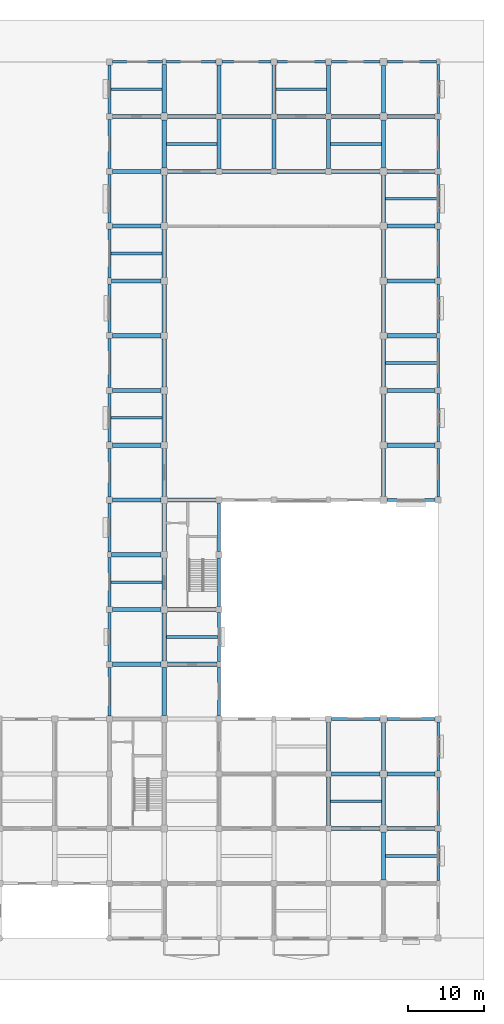
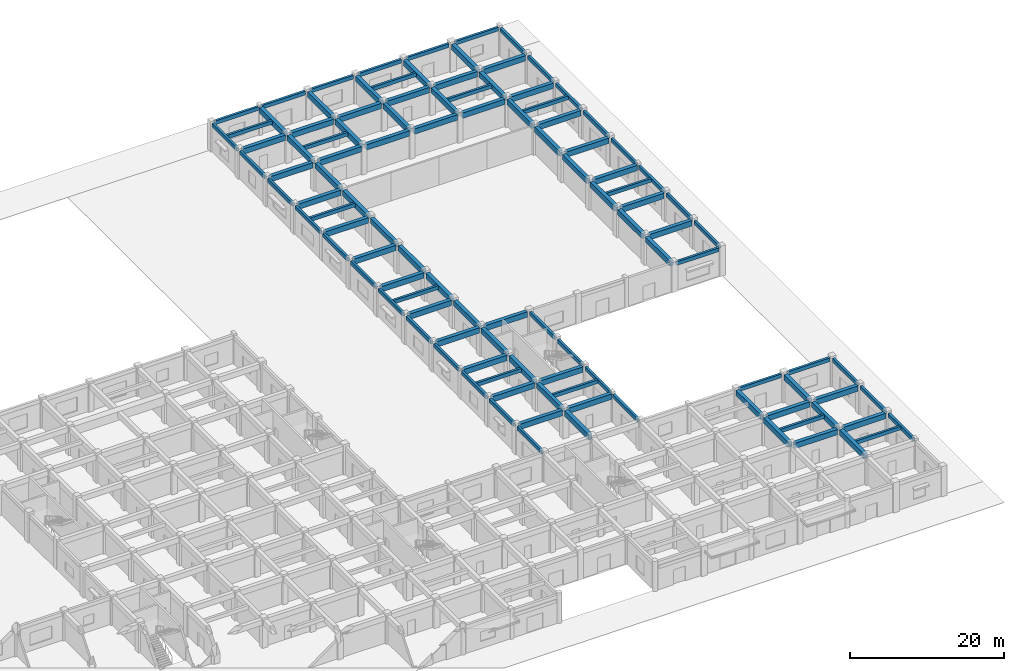
# One storey, part 6 of 37: 112 beams.
"""IFC4 building model written with IfcOpenShell, lengths in metres."""

from ifc_helpers import new_model, si_unit, direction, frame, origin, origin_2d, place, context, subcontext, project, spatial, rectangle, extrude, material, material_profile, profile_set, type_object, element, save


model = new_model("IFC4")

# Units and contexts
model_context = context("Model", 3, precision=1e-05, world=origin(), true_north=direction((0.0, 1.0)))
body_context = subcontext(model_context, "Body", "Model", "MODEL_VIEW")
ifc_project = project(units=[si_unit("LENGTHUNIT", "METRE"), si_unit("AREAUNIT", "SQUARE_METRE"), si_unit("VOLUMEUNIT", "CUBIC_METRE"), si_unit("PLANEANGLEUNIT", "RADIAN"), si_unit("MASSUNIT", "GRAM", prefix="KILO")], contexts=[model_context])

# Site, building, storey
site_placement = place(None, origin())
site = spatial("IfcSite", under=ifc_project, at=site_placement, CompositionType="ELEMENT")
building_placement = place(site_placement, origin())
building = spatial("IfcBuilding", under=site, at=building_placement, Name="Cendaluz Park School", CompositionType="ELEMENT")
storey_placement = place(building_placement, origin())
storey = spatial("IfcBuildingStorey", under=building, at=storey_placement, Name="L00", CompositionType="ELEMENT", Elevation=0.0)

# Beams
ifc_material = material(Name="Concrete C40/50", Category="concrete")
ifc_material_profile_1 = material_profile(ifc_material, rectangle(XDim=0.550048828125, YDim=0.85009765625, at=origin_2d()), Name="RC 550x850", Category="concrete")
ifc_profile_set_1 = profile_set([ifc_material_profile_1], Name="Concrete C40/50")
beam_type_1 = type_object("IfcBeamType", Name="BM-RC01", PredefinedType="BEAM", material=ifc_profile_set_1)
for number, where, z_axis, x_axis, name in (
    (1, (130.0, 36.0, 4.044921875), (1.0, 0.0, 0.0), (0.0, 1.0, 0.0), "BM-L00-BMRC01-0156"),
    (2, (130.0, 43.199951171875, 4.044921875), (1.0, 0.0, 0.0), (0.0, 1.0, 0.0), "BM-L00-BMRC01-0157"),
):
    element("IfcBeam", number, at=place(storey_placement, frame(where, z_axis=z_axis, x_axis=x_axis)), inside=storey, type_object=beam_type_1, Name=name, PredefinedType="BEAM", context=body_context, shape_type="SweptSolid", body=[
        extrude(rectangle(XDim=0.550048828125, YDim=0.85009765625, at=origin_2d()), origin(), (0.0, 0.0, 1.0), 6.35009765625),
    ])
beam_1_placement = place(storey_placement, frame((129.85009765625, 50.39990234375, 4.044921875), z_axis=(1.0, 0.0, 0.0), x_axis=(0.0, 1.0, 0.0)))
element("IfcBeam", 3, at=beam_1_placement, inside=storey, type_object=beam_type_1, Name="BM-L00-BMRC01-0158", PredefinedType="BEAM", context=body_context, shape_type="SweptSolid", body=[
    extrude(rectangle(XDim=0.550048828125, YDim=0.85009765625, at=origin_2d()), origin(), (0.0, 0.0, 1.0), 6.5),
])
for number, where, z_axis, x_axis, name in (
    (4, (130.0, 57.60009765625, 4.044921875), (1.0, 0.0, 0.0), (0.0, 1.0, 0.0), "BM-L00-BMRC01-0159"),
    (5, (130.0, 64.800048828125, 4.044921875), (1.0, 0.0, 0.0), (0.0, 1.0, 0.0), "BM-L00-BMRC01-0160"),
    (6, (130.0, 72.0, 4.044921875), (1.0, 0.0, 0.0), (0.0, 1.0, 0.0), "BM-L00-BMRC01-0161"),
    (7, (130.0, 79.199951171875, 4.044921875), (1.0, 0.0, 0.0), (0.0, 1.0, 0.0), "BM-L00-BMRC01-0162"),
):
    element("IfcBeam", number, at=place(storey_placement, frame(where, z_axis=z_axis, x_axis=x_axis)), inside=storey, type_object=beam_type_1, Name=name, PredefinedType="BEAM", context=body_context, shape_type="SweptSolid", body=[
        extrude(rectangle(XDim=0.550048828125, YDim=0.85009765625, at=origin_2d()), origin(), (0.0, 0.0, 1.0), 6.35009765625),
    ])
beam_2_placement = place(storey_placement, frame((129.85009765625, 86.39990234375, 4.044921875), z_axis=(1.0, 0.0, 0.0), x_axis=(0.0, 1.0, 0.0)))
element("IfcBeam", 8, at=beam_2_placement, inside=storey, type_object=beam_type_1, Name="BM-L00-BMRC01-0163", PredefinedType="BEAM", context=body_context, shape_type="SweptSolid", body=[
    extrude(rectangle(XDim=0.550048828125, YDim=0.85009765625, at=origin_2d()), origin(), (0.0, 0.0, 1.0), 6.5),
])
for number, where, z_axis, x_axis, name in (
    (9, (130.0, 93.60009765625, 4.044921875), (1.0, 0.0, 0.0), (0.0, 1.0, 0.0), "BM-L00-BMRC01-0164"),
    (10, (130.0, 100.800048828125, 4.044921875), (1.0, 0.0, 0.0), (0.0, 1.0, 0.0), "BM-L00-BMRC01-0165"),
    (11, (130.0, 108.0, 4.044921875), (1.0, 0.0, 0.0), (0.0, 1.0, 0.0), "BM-L00-BMRC01-0166"),
):
    element("IfcBeam", number, at=place(storey_placement, frame(where, z_axis=z_axis, x_axis=x_axis)), inside=storey, type_object=beam_type_1, Name=name, PredefinedType="BEAM", context=body_context, shape_type="SweptSolid", body=[
        extrude(rectangle(XDim=0.550048828125, YDim=0.85009765625, at=origin_2d()), origin(), (0.0, 0.0, 1.0), 6.35009765625),
    ])
beam_3_placement = place(storey_placement, frame((137.25, 36.0, 4.044921875), z_axis=(1.0, 0.0, 0.0), x_axis=(0.0, 1.0, 0.0)))
element("IfcBeam", 12, at=beam_3_placement, inside=storey, type_object=beam_type_1, Name="BM-L00-BMRC01-0173", PredefinedType="BEAM", context=body_context, shape_type="SweptSolid", body=[
    extrude(rectangle(XDim=0.550048828125, YDim=0.85009765625, at=origin_2d()), origin(), (0.0, 0.0, 1.0), 6.5),
])
for number, where, z_axis, x_axis, name in (
    (13, (137.25, 43.199951171875, 4.044921875), (1.0, 0.0, 0.0), (0.0, 1.0, 0.0), "BM-L00-BMRC01-0174"),
    (14, (137.25, 57.60009765625, 4.044921875), (1.0, 0.0, 0.0), (0.0, 1.0, 0.0), "BM-L00-BMRC01-0175"),
    (15, (137.25, 100.800048828125, 4.044921875), (1.0, 0.0, 0.0), (0.0, 1.0, 0.0), "BM-L00-BMRC01-0176"),
    (16, (137.25, 108.0, 4.044921875), (1.0, 0.0, 0.0), (0.0, 1.0, 0.0), "BM-L00-BMRC01-0177"),
):
    element("IfcBeam", number, at=place(storey_placement, frame(where, z_axis=z_axis, x_axis=x_axis)), inside=storey, type_object=beam_type_1, Name=name, PredefinedType="BEAM", context=body_context, shape_type="SweptSolid", body=[
        extrude(rectangle(XDim=0.550048828125, YDim=0.85009765625, at=origin_2d()), origin(), (0.0, 0.0, 1.0), 6.35009765625),
    ])
for number, where, z_axis, x_axis, name in (
    (17, (144.39990234375, 100.800048828125, 4.044921875), (1.0, 0.0, 0.0), (0.0, 1.0, 0.0), "BM-L00-BMRC01-0184"),
    (18, (144.39990234375, 108.0, 4.044921875), (1.0, 0.0, 0.0), (0.0, 1.0, 0.0), "BM-L00-BMRC01-0185"),
):
    element("IfcBeam", number, at=place(storey_placement, frame(where, z_axis=z_axis, x_axis=x_axis)), inside=storey, type_object=beam_type_1, Name=name, PredefinedType="BEAM", context=body_context, shape_type="SweptSolid", body=[
        extrude(rectangle(XDim=0.550048828125, YDim=0.85009765625, at=origin_2d()), origin(), (0.0, 0.0, 1.0), 6.400146484375),
    ])
for number, where, z_axis, x_axis, name in (
    (19, (151.60009765625, 100.800048828125, 4.044921875), (1.0, 0.0, 0.0), (0.0, 1.0, 0.0), "BM-L00-BMRC01-0192"),
    (20, (151.60009765625, 108.0, 4.044921875), (1.0, 0.0, 0.0), (0.0, 1.0, 0.0), "BM-L00-BMRC01-0193"),
):
    element("IfcBeam", number, at=place(storey_placement, frame(where, z_axis=z_axis, x_axis=x_axis)), inside=storey, type_object=beam_type_1, Name=name, PredefinedType="BEAM", context=body_context, shape_type="SweptSolid", body=[
        extrude(rectangle(XDim=0.550048828125, YDim=0.85009765625, at=origin_2d()), origin(), (0.0, 0.0, 1.0), 6.39990234375),
    ])
for number, where, z_axis, x_axis, name in (
    (21, (158.800048828125, 14.39990234375, 4.044921875), (1.0, 0.0, 0.0), (0.0, 1.0, 0.0), "BM-L00-BMRC01-0197"),
    (22, (158.800048828125, 21.60009765625, 4.044921875), (1.0, 0.0, 0.0), (0.0, 1.0, 0.0), "BM-L00-BMRC01-0198"),
    (23, (158.800048828125, 100.800048828125, 4.044921875), (1.0, 0.0, 0.0), (0.0, 1.0, 0.0), "BM-L00-BMRC01-0200"),
    (24, (158.800048828125, 108.0, 4.044921875), (1.0, 0.0, 0.0), (0.0, 1.0, 0.0), "BM-L00-BMRC01-0201"),
    (25, (166.050048828125, 14.39990234375, 4.044921875), (1.0, 0.0, 0.0), (0.0, 1.0, 0.0), "BM-L00-BMRC01-0205"),
    (26, (166.050048828125, 21.60009765625, 4.044921875), (1.0, 0.0, 0.0), (0.0, 1.0, 0.0), "BM-L00-BMRC01-0206"),
    (27, (166.050048828125, 64.800048828125, 4.044921875), (1.0, 0.0, 0.0), (0.0, 1.0, 0.0), "BM-L00-BMRC01-0209"),
    (28, (166.050048828125, 72.0, 4.044921875), (1.0, 0.0, 0.0), (0.0, 1.0, 0.0), "BM-L00-BMRC01-0210"),
):
    element("IfcBeam", number, at=place(storey_placement, frame(where, z_axis=z_axis, x_axis=x_axis)), inside=storey, type_object=beam_type_1, Name=name, PredefinedType="BEAM", context=body_context, shape_type="SweptSolid", body=[
        extrude(rectangle(XDim=0.550048828125, YDim=0.85009765625, at=origin_2d()), origin(), (0.0, 0.0, 1.0), 6.349853515625),
    ])
beam_4_placement = place(storey_placement, frame((166.050048828125, 79.199951171875, 4.044921875), z_axis=(1.0, 0.0, 0.0), x_axis=(0.0, 1.0, 0.0)))
element("IfcBeam", 29, at=beam_4_placement, inside=storey, type_object=beam_type_1, Name="BM-L00-BMRC01-0211", PredefinedType="BEAM", context=body_context, shape_type="SweptSolid", body=[
    extrude(rectangle(XDim=0.550048828125, YDim=0.85009765625, at=origin_2d()), origin(), (0.0, 0.0, 1.0), 6.5),
])
for number, where, z_axis, x_axis, name in (
    (30, (166.050048828125, 86.39990234375, 4.044921875), (1.0, 0.0, 0.0), (0.0, 1.0, 0.0), "BM-L00-BMRC01-0212"),
    (31, (166.050048828125, 93.60009765625, 4.044921875), (1.0, 0.0, 0.0), (0.0, 1.0, 0.0), "BM-L00-BMRC01-0213"),
    (32, (166.050048828125, 100.800048828125, 4.044921875), (1.0, 0.0, 0.0), (0.0, 1.0, 0.0), "BM-L00-BMRC01-0214"),
    (33, (166.050048828125, 108.0, 4.044921875), (1.0, 0.0, 0.0), (0.0, 1.0, 0.0), "BM-L00-BMRC01-0215"),
):
    element("IfcBeam", number, at=place(storey_placement, frame(where, z_axis=z_axis, x_axis=x_axis)), inside=storey, type_object=beam_type_1, Name=name, PredefinedType="BEAM", context=body_context, shape_type="SweptSolid", body=[
        extrude(rectangle(XDim=0.550048828125, YDim=0.85009765625, at=origin_2d()), origin(), (0.0, 0.0, 1.0), 6.349853515625),
    ])
for number, where, z_axis, x_axis, name in (
    (34, (136.800048828125, 29.25, 4.044921875), (0.0, 1.0, 0.0), (-1.0, 0.0, 0.0), "BM-L00-BMRC01-0397"),
    (35, (136.800048828125, 36.449951171875, 4.044921875), (0.0, 1.0, 0.0), (-1.0, 0.0, 0.0), "BM-L00-BMRC01-0398"),
    (36, (136.800048828125, 43.64990234375, 4.044921875), (0.0, 1.0, 0.0), (-1.0, 0.0, 0.0), "BM-L00-BMRC01-0399"),
):
    element("IfcBeam", number, at=place(storey_placement, frame(where, z_axis=z_axis, x_axis=x_axis)), inside=storey, type_object=beam_type_1, Name=name, PredefinedType="BEAM", context=body_context, shape_type="SweptSolid", body=[
        extrude(rectangle(XDim=0.550048828125, YDim=0.85009765625, at=origin_2d()), origin(), (0.0, 0.0, 1.0), 6.300048828125),
    ])
beam_5_placement = place(storey_placement, frame((136.800048828125, 50.85009765625, 4.044921875), z_axis=(0.0, 1.0, 0.0), x_axis=(-1.0, 0.0, 0.0)))
element("IfcBeam", 37, at=beam_5_placement, inside=storey, type_object=beam_type_1, Name="BM-L00-BMRC01-0400", PredefinedType="BEAM", context=body_context, shape_type="SweptSolid", body=[
    extrude(rectangle(XDim=0.550048828125, YDim=0.85009765625, at=origin_2d()), origin(), (0.0, 0.0, 1.0), 6.2998046875),
])
for number, where, z_axis, x_axis, name in (
    (38, (136.800048828125, 58.050048828125, 4.044921875), (0.0, 1.0, 0.0), (-1.0, 0.0, 0.0), "BM-L00-BMRC01-0401"),
    (39, (136.800048828125, 65.25, 4.044921875), (0.0, 1.0, 0.0), (-1.0, 0.0, 0.0), "BM-L00-BMRC01-0402"),
    (40, (136.800048828125, 72.449951171875, 4.044921875), (0.0, 1.0, 0.0), (-1.0, 0.0, 0.0), "BM-L00-BMRC01-0403"),
    (41, (136.800048828125, 79.64990234375, 4.044921875), (0.0, 1.0, 0.0), (-1.0, 0.0, 0.0), "BM-L00-BMRC01-0404"),
):
    element("IfcBeam", number, at=place(storey_placement, frame(where, z_axis=z_axis, x_axis=x_axis)), inside=storey, type_object=beam_type_1, Name=name, PredefinedType="BEAM", context=body_context, shape_type="SweptSolid", body=[
        extrude(rectangle(XDim=0.550048828125, YDim=0.85009765625, at=origin_2d()), origin(), (0.0, 0.0, 1.0), 6.300048828125),
    ])
beam_6_placement = place(storey_placement, frame((136.800048828125, 86.85009765625, 4.044921875), z_axis=(0.0, 1.0, 0.0), x_axis=(-1.0, 0.0, 0.0)))
element("IfcBeam", 42, at=beam_6_placement, inside=storey, type_object=beam_type_1, Name="BM-L00-BMRC01-0405", PredefinedType="BEAM", context=body_context, shape_type="SweptSolid", body=[
    extrude(rectangle(XDim=0.550048828125, YDim=0.85009765625, at=origin_2d()), origin(), (0.0, 0.0, 1.0), 6.2998046875),
])
for number, where, z_axis, x_axis, name in (
    (43, (136.800048828125, 94.050048828125, 4.044921875), (0.0, 1.0, 0.0), (-1.0, 0.0, 0.0), "BM-L00-BMRC01-0406"),
    (44, (136.800048828125, 101.25, 4.044921875), (0.0, 1.0, 0.0), (-1.0, 0.0, 0.0), "BM-L00-BMRC01-0407"),
):
    element("IfcBeam", number, at=place(storey_placement, frame(where, z_axis=z_axis, x_axis=x_axis)), inside=storey, type_object=beam_type_1, Name=name, PredefinedType="BEAM", context=body_context, shape_type="SweptSolid", body=[
        extrude(rectangle(XDim=0.550048828125, YDim=0.85009765625, at=origin_2d()), origin(), (0.0, 0.0, 1.0), 6.300048828125),
    ])
beam_7_placement = place(storey_placement, frame((136.800048828125, 108.449951171875, 4.044921875), z_axis=(0.0, 1.0, 0.0), x_axis=(-1.0, 0.0, 0.0)))
element("IfcBeam", 45, at=beam_7_placement, inside=storey, type_object=beam_type_1, Name="BM-L00-BMRC01-0408", PredefinedType="BEAM", context=body_context, shape_type="SweptSolid", body=[
    extrude(rectangle(XDim=0.550048828125, YDim=0.85009765625, at=origin_2d()), origin(), (0.0, 0.0, 1.0), 6.375),
])
for number, where, z_axis, x_axis, name in (
    (46, (144.0, 101.199951171875, 4.044921875), (0.0, 1.0, 0.0), (-1.0, 0.0, 0.0), "BM-L00-BMRC01-0417"),
    (47, (144.0, 108.39990234375, 4.044921875), (0.0, 1.0, 0.0), (-1.0, 0.0, 0.0), "BM-L00-BMRC01-0418"),
    (48, (151.199951171875, 101.199951171875, 4.044921875), (0.0, 1.0, 0.0), (-1.0, 0.0, 0.0), "BM-L00-BMRC01-0423"),
    (49, (151.199951171875, 108.39990234375, 4.044921875), (0.0, 1.0, 0.0), (-1.0, 0.0, 0.0), "BM-L00-BMRC01-0424"),
):
    element("IfcBeam", number, at=place(storey_placement, frame(where, z_axis=z_axis, x_axis=x_axis)), inside=storey, type_object=beam_type_1, Name=name, PredefinedType="BEAM", context=body_context, shape_type="SweptSolid", body=[
        extrude(rectangle(XDim=0.550048828125, YDim=0.85009765625, at=origin_2d()), origin(), (0.0, 0.0, 1.0), 6.400146484375),
    ])
for number, where, z_axis, x_axis, name in (
    (50, (158.39990234375, 14.800048828125, 4.044921875), (0.0, 1.0, 0.0), (-1.0, 0.0, 0.0), "BM-L00-BMRC01-0427"),
    (51, (158.39990234375, 22.0, 4.044921875), (0.0, 1.0, 0.0), (-1.0, 0.0, 0.0), "BM-L00-BMRC01-0428"),
):
    element("IfcBeam", number, at=place(storey_placement, frame(where, z_axis=z_axis, x_axis=x_axis)), inside=storey, type_object=beam_type_1, Name=name, PredefinedType="BEAM", context=body_context, shape_type="SweptSolid", body=[
        extrude(rectangle(XDim=0.550048828125, YDim=0.85009765625, at=origin_2d()), origin(), (0.0, 0.0, 1.0), 6.39990234375),
    ])
for number, where, z_axis, x_axis, name in (
    (52, (158.39990234375, 101.199951171875, 4.044921875), (0.0, 1.0, 0.0), (-1.0, 0.0, 0.0), "BM-L00-BMRC01-0429"),
    (53, (158.39990234375, 108.39990234375, 4.044921875), (0.0, 1.0, 0.0), (-1.0, 0.0, 0.0), "BM-L00-BMRC01-0430"),
):
    element("IfcBeam", number, at=place(storey_placement, frame(where, z_axis=z_axis, x_axis=x_axis)), inside=storey, type_object=beam_type_1, Name=name, PredefinedType="BEAM", context=body_context, shape_type="SweptSolid", body=[
        extrude(rectangle(XDim=0.550048828125, YDim=0.85009765625, at=origin_2d()), origin(), (0.0, 0.0, 1.0), 6.400146484375),
    ])
beam_8_placement = place(storey_placement, frame((165.60009765625, 7.64990234375, 4.044921875), z_axis=(0.0, 1.0, 0.0), x_axis=(-1.0, 0.0, 0.0)))
element("IfcBeam", 54, at=beam_8_placement, inside=storey, type_object=beam_type_1, Name="BM-L00-BMRC01-0432", PredefinedType="BEAM", context=body_context, shape_type="SweptSolid", body=[
    extrude(rectangle(XDim=0.550048828125, YDim=0.85009765625, at=origin_2d()), origin(), (0.0, 0.0, 1.0), 6.300048828125),
])
beam_9_placement = place(storey_placement, frame((165.60009765625, 14.85009765625, 4.044921875), z_axis=(0.0, 1.0, 0.0), x_axis=(-1.0, 0.0, 0.0)))
element("IfcBeam", 55, at=beam_9_placement, inside=storey, type_object=beam_type_1, Name="BM-L00-BMRC01-0433", PredefinedType="BEAM", context=body_context, shape_type="SweptSolid", body=[
    extrude(rectangle(XDim=0.550048828125, YDim=0.85009765625, at=origin_2d()), origin(), (0.0, 0.0, 1.0), 6.2998046875),
])
for number, where, z_axis, x_axis, name in (
    (56, (165.60009765625, 22.050048828125, 4.044921875), (0.0, 1.0, 0.0), (-1.0, 0.0, 0.0), "BM-L00-BMRC01-0434"),
    (57, (165.60009765625, 58.050048828125, 4.044921875), (0.0, 1.0, 0.0), (-1.0, 0.0, 0.0), "BM-L00-BMRC01-0435"),
    (58, (165.60009765625, 65.25, 4.044921875), (0.0, 1.0, 0.0), (-1.0, 0.0, 0.0), "BM-L00-BMRC01-0436"),
    (59, (165.60009765625, 72.449951171875, 4.044921875), (0.0, 1.0, 0.0), (-1.0, 0.0, 0.0), "BM-L00-BMRC01-0437"),
    (60, (165.60009765625, 79.64990234375, 4.044921875), (0.0, 1.0, 0.0), (-1.0, 0.0, 0.0), "BM-L00-BMRC01-0438"),
):
    element("IfcBeam", number, at=place(storey_placement, frame(where, z_axis=z_axis, x_axis=x_axis)), inside=storey, type_object=beam_type_1, Name=name, PredefinedType="BEAM", context=body_context, shape_type="SweptSolid", body=[
        extrude(rectangle(XDim=0.550048828125, YDim=0.85009765625, at=origin_2d()), origin(), (0.0, 0.0, 1.0), 6.300048828125),
    ])
beam_10_placement = place(storey_placement, frame((165.60009765625, 86.85009765625, 4.044921875), z_axis=(0.0, 1.0, 0.0), x_axis=(-1.0, 0.0, 0.0)))
element("IfcBeam", 61, at=beam_10_placement, inside=storey, type_object=beam_type_1, Name="BM-L00-BMRC01-0439", PredefinedType="BEAM", context=body_context, shape_type="SweptSolid", body=[
    extrude(rectangle(XDim=0.550048828125, YDim=0.85009765625, at=origin_2d()), origin(), (0.0, 0.0, 1.0), 6.2998046875),
])
for number, where, z_axis, x_axis, name in (
    (62, (165.60009765625, 94.050048828125, 4.044921875), (0.0, 1.0, 0.0), (-1.0, 0.0, 0.0), "BM-L00-BMRC01-0440"),
    (63, (165.60009765625, 101.25, 4.044921875), (0.0, 1.0, 0.0), (-1.0, 0.0, 0.0), "BM-L00-BMRC01-0441"),
    (64, (165.60009765625, 108.449951171875, 4.044921875), (0.0, 1.0, 0.0), (-1.0, 0.0, 0.0), "BM-L00-BMRC01-0442"),
):
    element("IfcBeam", number, at=place(storey_placement, frame(where, z_axis=z_axis, x_axis=x_axis)), inside=storey, type_object=beam_type_1, Name=name, PredefinedType="BEAM", context=body_context, shape_type="SweptSolid", body=[
        extrude(rectangle(XDim=0.550048828125, YDim=0.85009765625, at=origin_2d()), origin(), (0.0, 0.0, 1.0), 6.300048828125),
    ])
ifc_material_profile_2 = material_profile(ifc_material, rectangle(XDim=0.35009765625, YDim=0.580078125, at=origin_2d()), Name="RC 350x580", Category="concrete")
ifc_profile_set_2 = profile_set([ifc_material_profile_2], Name="Concrete C40/50")
beam_type_2 = type_object("IfcBeamType", Name="BM-RC04", PredefinedType="LINTEL", material=ifc_profile_set_2)
for number, where, z_axis, x_axis, name in (
    (65, (130.0, 115.199951171875, 4.179931640625), (1.0, 0.0, 0.0), (0.0, 1.0, 0.0), "BM-L00-BMRC04-0167"),
    (66, (137.050048828125, 115.199951171875, 4.179931640625), (1.0, 0.0, 0.0), (0.0, 1.0, 0.0), "BM-L00-BMRC04-0178"),
):
    element("IfcBeam", number, at=place(storey_placement, frame(where, z_axis=z_axis, x_axis=x_axis)), inside=storey, type_object=beam_type_2, Name=name, PredefinedType="LINTEL", context=body_context, shape_type="SweptSolid", body=[
        extrude(rectangle(XDim=0.35009765625, YDim=0.580078125, at=origin_2d()), origin(), (0.0, 0.0, 1.0), 6.550048828125),
    ])
beam_11_placement = place(storey_placement, frame((144.39990234375, 115.199951171875, 4.179931640625), z_axis=(1.0, 0.0, 0.0), x_axis=(0.0, 1.0, 0.0)))
element("IfcBeam", 67, at=beam_11_placement, inside=storey, type_object=beam_type_2, Name="BM-L00-BMRC04-0186", PredefinedType="LINTEL", context=body_context, shape_type="SweptSolid", body=[
    extrude(rectangle(XDim=0.35009765625, YDim=0.580078125, at=origin_2d()), origin(), (0.0, 0.0, 1.0), 6.400146484375),
])
beam_12_placement = place(storey_placement, frame((151.60009765625, 115.199951171875, 4.179931640625), z_axis=(1.0, 0.0, 0.0), x_axis=(0.0, 1.0, 0.0)))
element("IfcBeam", 68, at=beam_12_placement, inside=storey, type_object=beam_type_2, Name="BM-L00-BMRC04-0194", PredefinedType="LINTEL", context=body_context, shape_type="SweptSolid", body=[
    extrude(rectangle(XDim=0.35009765625, YDim=0.580078125, at=origin_2d()), origin(), (0.0, 0.0, 1.0), 6.39990234375),
])
for number, where, z_axis, x_axis, name in (
    (69, (158.800048828125, 28.800048828125, 4.179931640625), (1.0, 0.0, 0.0), (0.0, 1.0, 0.0), "BM-L00-BMRC04-0199"),
    (70, (158.800048828125, 115.199951171875, 4.179931640625), (1.0, 0.0, 0.0), (0.0, 1.0, 0.0), "BM-L00-BMRC04-0202"),
    (71, (166.050048828125, 28.800048828125, 4.179931640625), (1.0, 0.0, 0.0), (0.0, 1.0, 0.0), "BM-L00-BMRC04-0207"),
    (72, (166.050048828125, 57.60009765625, 4.179931640625), (1.0, 0.0, 0.0), (0.0, 1.0, 0.0), "BM-L00-BMRC04-0208"),
):
    element("IfcBeam", number, at=place(storey_placement, frame(where, z_axis=z_axis, x_axis=x_axis)), inside=storey, type_object=beam_type_2, Name=name, PredefinedType="LINTEL", context=body_context, shape_type="SweptSolid", body=[
        extrude(rectangle(XDim=0.35009765625, YDim=0.580078125, at=origin_2d()), origin(), (0.0, 0.0, 1.0), 6.349853515625),
    ])
beam_13_placement = place(storey_placement, frame((166.050048828125, 115.199951171875, 4.179931640625), z_axis=(1.0, 0.0, 0.0), x_axis=(0.0, 1.0, 0.0)))
element("IfcBeam", 73, at=beam_13_placement, inside=storey, type_object=beam_type_2, Name="BM-L00-BMRC04-0216", PredefinedType="LINTEL", context=body_context, shape_type="SweptSolid", body=[
    extrude(rectangle(XDim=0.35009765625, YDim=0.580078125, at=origin_2d()), origin(), (0.0, 0.0, 1.0), 6.5),
])
for number, where, z_axis, x_axis, name in (
    (74, (129.60009765625, 29.199951171875, 4.179931640625), (0.0, 1.0, 0.0), (-1.0, 0.0, 0.0), "BM-L00-BMRC04-0381"),
    (75, (129.60009765625, 36.39990234375, 4.179931640625), (0.0, 1.0, 0.0), (-1.0, 0.0, 0.0), "BM-L00-BMRC04-0382"),
):
    element("IfcBeam", number, at=place(storey_placement, frame(where, z_axis=z_axis, x_axis=x_axis)), inside=storey, type_object=beam_type_2, Name=name, PredefinedType="LINTEL", context=body_context, shape_type="SweptSolid", body=[
        extrude(rectangle(XDim=0.35009765625, YDim=0.580078125, at=origin_2d()), origin(), (0.0, 0.0, 1.0), 6.400146484375),
    ])
beam_14_placement = place(storey_placement, frame((129.60009765625, 43.60009765625, 4.179931640625), z_axis=(0.0, 1.0, 0.0), x_axis=(-1.0, 0.0, 0.0)))
element("IfcBeam", 76, at=beam_14_placement, inside=storey, type_object=beam_type_2, Name="BM-L00-BMRC04-0383", PredefinedType="LINTEL", context=body_context, shape_type="SweptSolid", body=[
    extrude(rectangle(XDim=0.35009765625, YDim=0.580078125, at=origin_2d()), origin(), (0.0, 0.0, 1.0), 6.4248046875),
])
beam_15_placement = place(storey_placement, frame((129.60009765625, 50.77490234375, 4.179931640625), z_axis=(0.0, 1.0, 0.0), x_axis=(-1.0, 0.0, 0.0)))
element("IfcBeam", 77, at=beam_15_placement, inside=storey, type_object=beam_type_2, Name="BM-L00-BMRC04-0384", PredefinedType="LINTEL", context=body_context, shape_type="SweptSolid", body=[
    extrude(rectangle(XDim=0.35009765625, YDim=0.580078125, at=origin_2d()), origin(), (0.0, 0.0, 1.0), 6.425048828125),
])
beam_16_placement = place(storey_placement, frame((129.60009765625, 58.0, 4.179931640625), z_axis=(0.0, 1.0, 0.0), x_axis=(-1.0, 0.0, 0.0)))
element("IfcBeam", 78, at=beam_16_placement, inside=storey, type_object=beam_type_2, Name="BM-L00-BMRC04-0385", PredefinedType="LINTEL", context=body_context, shape_type="SweptSolid", body=[
    extrude(rectangle(XDim=0.35009765625, YDim=0.580078125, at=origin_2d()), origin(), (0.0, 0.0, 1.0), 6.39990234375),
])
for number, where, z_axis, x_axis, name in (
    (79, (129.60009765625, 65.199951171875, 4.179931640625), (0.0, 1.0, 0.0), (-1.0, 0.0, 0.0), "BM-L00-BMRC04-0386"),
    (80, (129.60009765625, 72.39990234375, 4.179931640625), (0.0, 1.0, 0.0), (-1.0, 0.0, 0.0), "BM-L00-BMRC04-0387"),
):
    element("IfcBeam", number, at=place(storey_placement, frame(where, z_axis=z_axis, x_axis=x_axis)), inside=storey, type_object=beam_type_2, Name=name, PredefinedType="LINTEL", context=body_context, shape_type="SweptSolid", body=[
        extrude(rectangle(XDim=0.35009765625, YDim=0.580078125, at=origin_2d()), origin(), (0.0, 0.0, 1.0), 6.400146484375),
    ])
beam_17_placement = place(storey_placement, frame((129.60009765625, 79.60009765625, 4.179931640625), z_axis=(0.0, 1.0, 0.0), x_axis=(-1.0, 0.0, 0.0)))
element("IfcBeam", 81, at=beam_17_placement, inside=storey, type_object=beam_type_2, Name="BM-L00-BMRC04-0388", PredefinedType="LINTEL", context=body_context, shape_type="SweptSolid", body=[
    extrude(rectangle(XDim=0.35009765625, YDim=0.580078125, at=origin_2d()), origin(), (0.0, 0.0, 1.0), 6.4248046875),
])
beam_18_placement = place(storey_placement, frame((129.60009765625, 86.77490234375, 4.179931640625), z_axis=(0.0, 1.0, 0.0), x_axis=(-1.0, 0.0, 0.0)))
element("IfcBeam", 82, at=beam_18_placement, inside=storey, type_object=beam_type_2, Name="BM-L00-BMRC04-0389", PredefinedType="LINTEL", context=body_context, shape_type="SweptSolid", body=[
    extrude(rectangle(XDim=0.35009765625, YDim=0.580078125, at=origin_2d()), origin(), (0.0, 0.0, 1.0), 6.425048828125),
])
beam_19_placement = place(storey_placement, frame((129.60009765625, 94.0, 4.179931640625), z_axis=(0.0, 1.0, 0.0), x_axis=(-1.0, 0.0, 0.0)))
element("IfcBeam", 83, at=beam_19_placement, inside=storey, type_object=beam_type_2, Name="BM-L00-BMRC04-0390", PredefinedType="LINTEL", context=body_context, shape_type="SweptSolid", body=[
    extrude(rectangle(XDim=0.35009765625, YDim=0.580078125, at=origin_2d()), origin(), (0.0, 0.0, 1.0), 6.39990234375),
])
for number, where, z_axis, x_axis, name in (
    (84, (129.60009765625, 101.199951171875, 4.179931640625), (0.0, 1.0, 0.0), (-1.0, 0.0, 0.0), "BM-L00-BMRC04-0391"),
    (85, (129.60009765625, 108.39990234375, 4.179931640625), (0.0, 1.0, 0.0), (-1.0, 0.0, 0.0), "BM-L00-BMRC04-0392"),
):
    element("IfcBeam", number, at=place(storey_placement, frame(where, z_axis=z_axis, x_axis=x_axis)), inside=storey, type_object=beam_type_2, Name=name, PredefinedType="LINTEL", context=body_context, shape_type="SweptSolid", body=[
        extrude(rectangle(XDim=0.35009765625, YDim=0.580078125, at=origin_2d()), origin(), (0.0, 0.0, 1.0), 6.400146484375),
    ])
for number, where, z_axis, x_axis, name in (
    (86, (144.0, 29.199951171875, 4.179931640625), (0.0, 1.0, 0.0), (-1.0, 0.0, 0.0), "BM-L00-BMRC04-0413"),
    (87, (144.0, 36.375, 4.179931640625), (0.0, 1.0, 0.0), (-1.0, 0.0, 0.0), "BM-L00-BMRC04-0414"),
):
    element("IfcBeam", number, at=place(storey_placement, frame(where, z_axis=z_axis, x_axis=x_axis)), inside=storey, type_object=beam_type_2, Name=name, PredefinedType="LINTEL", context=body_context, shape_type="SweptSolid", body=[
        extrude(rectangle(XDim=0.35009765625, YDim=0.580078125, at=origin_2d()), origin(), (0.0, 0.0, 1.0), 6.425048828125),
    ])
for number, where, z_axis, x_axis, name in (
    (88, (144.0, 43.60009765625, 4.179931640625), (0.0, 1.0, 0.0), (-1.0, 0.0, 0.0), "BM-L00-BMRC04-0415"),
    (89, (144.0, 50.800048828125, 4.179931640625), (0.0, 1.0, 0.0), (-1.0, 0.0, 0.0), "BM-L00-BMRC04-0416"),
):
    element("IfcBeam", number, at=place(storey_placement, frame(where, z_axis=z_axis, x_axis=x_axis)), inside=storey, type_object=beam_type_2, Name=name, PredefinedType="LINTEL", context=body_context, shape_type="SweptSolid", body=[
        extrude(rectangle(XDim=0.35009765625, YDim=0.580078125, at=origin_2d()), origin(), (0.0, 0.0, 1.0), 6.39990234375),
    ])
beam_20_placement = place(storey_placement, frame((172.800048828125, 7.574951171875, 4.179931640625), z_axis=(0.0, 1.0, 0.0), x_axis=(-1.0, 0.0, 0.0)))
element("IfcBeam", 90, at=beam_20_placement, inside=storey, type_object=beam_type_2, Name="BM-L00-BMRC04-0444", PredefinedType="LINTEL", context=body_context, shape_type="SweptSolid", body=[
    extrude(rectangle(XDim=0.35009765625, YDim=0.580078125, at=origin_2d()), origin(), (0.0, 0.0, 1.0), 6.425048828125),
])
for number, where, z_axis, x_axis, name in (
    (91, (172.800048828125, 14.800048828125, 4.179931640625), (0.0, 1.0, 0.0), (-1.0, 0.0, 0.0), "BM-L00-BMRC04-0445"),
    (92, (172.800048828125, 22.0, 4.179931640625), (0.0, 1.0, 0.0), (-1.0, 0.0, 0.0), "BM-L00-BMRC04-0446"),
    (93, (172.800048828125, 58.0, 4.179931640625), (0.0, 1.0, 0.0), (-1.0, 0.0, 0.0), "BM-L00-BMRC04-0447"),
):
    element("IfcBeam", number, at=place(storey_placement, frame(where, z_axis=z_axis, x_axis=x_axis)), inside=storey, type_object=beam_type_2, Name=name, PredefinedType="LINTEL", context=body_context, shape_type="SweptSolid", body=[
        extrude(rectangle(XDim=0.35009765625, YDim=0.580078125, at=origin_2d()), origin(), (0.0, 0.0, 1.0), 6.39990234375),
    ])
beam_21_placement = place(storey_placement, frame((172.800048828125, 65.199951171875, 4.179931640625), z_axis=(0.0, 1.0, 0.0), x_axis=(-1.0, 0.0, 0.0)))
element("IfcBeam", 94, at=beam_21_placement, inside=storey, type_object=beam_type_2, Name="BM-L00-BMRC04-0448", PredefinedType="LINTEL", context=body_context, shape_type="SweptSolid", body=[
    extrude(rectangle(XDim=0.35009765625, YDim=0.580078125, at=origin_2d()), origin(), (0.0, 0.0, 1.0), 6.400146484375),
])
for number, where, z_axis, x_axis, name in (
    (95, (172.800048828125, 72.39990234375, 4.179931640625), (0.0, 1.0, 0.0), (-1.0, 0.0, 0.0), "BM-L00-BMRC04-0449"),
    (96, (172.800048828125, 79.574951171875, 4.179931640625), (0.0, 1.0, 0.0), (-1.0, 0.0, 0.0), "BM-L00-BMRC04-0450"),
):
    element("IfcBeam", number, at=place(storey_placement, frame(where, z_axis=z_axis, x_axis=x_axis)), inside=storey, type_object=beam_type_2, Name=name, PredefinedType="LINTEL", context=body_context, shape_type="SweptSolid", body=[
        extrude(rectangle(XDim=0.35009765625, YDim=0.580078125, at=origin_2d()), origin(), (0.0, 0.0, 1.0), 6.425048828125),
    ])
for number, where, z_axis, x_axis, name in (
    (97, (172.800048828125, 86.800048828125, 4.179931640625), (0.0, 1.0, 0.0), (-1.0, 0.0, 0.0), "BM-L00-BMRC04-0451"),
    (98, (172.800048828125, 94.0, 4.179931640625), (0.0, 1.0, 0.0), (-1.0, 0.0, 0.0), "BM-L00-BMRC04-0452"),
):
    element("IfcBeam", number, at=place(storey_placement, frame(where, z_axis=z_axis, x_axis=x_axis)), inside=storey, type_object=beam_type_2, Name=name, PredefinedType="LINTEL", context=body_context, shape_type="SweptSolid", body=[
        extrude(rectangle(XDim=0.35009765625, YDim=0.580078125, at=origin_2d()), origin(), (0.0, 0.0, 1.0), 6.39990234375),
    ])
beam_22_placement = place(storey_placement, frame((172.800048828125, 101.199951171875, 4.179931640625), z_axis=(0.0, 1.0, 0.0), x_axis=(-1.0, 0.0, 0.0)))
element("IfcBeam", 99, at=beam_22_placement, inside=storey, type_object=beam_type_2, Name="BM-L00-BMRC04-0453", PredefinedType="LINTEL", context=body_context, shape_type="SweptSolid", body=[
    extrude(rectangle(XDim=0.35009765625, YDim=0.580078125, at=origin_2d()), origin(), (0.0, 0.0, 1.0), 6.400146484375),
])
beam_23_placement = place(storey_placement, frame((172.800048828125, 108.39990234375, 4.179931640625), z_axis=(0.0, 1.0, 0.0), x_axis=(-1.0, 0.0, 0.0)))
element("IfcBeam", 100, at=beam_23_placement, inside=storey, type_object=beam_type_2, Name="BM-L00-BMRC04-0454", PredefinedType="LINTEL", context=body_context, shape_type="SweptSolid", body=[
    extrude(rectangle(XDim=0.35009765625, YDim=0.580078125, at=origin_2d()), origin(), (0.0, 0.0, 1.0), 6.425048828125),
])
ifc_material_profile_3 = material_profile(ifc_material, rectangle(XDim=0.35009765625, YDim=0.580078125, at=origin_2d()), Name="RC 350x580", Category="concrete")
ifc_profile_set_3 = profile_set([ifc_material_profile_3], Name="Concrete C40/50")
beam_type_3 = type_object("IfcBeamType", Name="JT-RC01", PredefinedType="JOIST", material=ifc_profile_set_3)
for number, where, z_axis, x_axis, name in (
    (101, (129.77490234375, 46.800048828125, 4.179931640625), (1.0, 0.0, 0.0), (0.0, 1.0, 0.0), "BM-L00-JTRC01-0500"),
    (102, (129.77490234375, 68.39990234375, 4.179931640625), (1.0, 0.0, 0.0), (0.0, 1.0, 0.0), "BM-L00-JTRC01-0501"),
    (103, (129.77490234375, 90.0, 4.179931640625), (1.0, 0.0, 0.0), (0.0, 1.0, 0.0), "BM-L00-JTRC01-0502"),
    (104, (129.77490234375, 111.60009765625, 4.179931640625), (1.0, 0.0, 0.0), (0.0, 1.0, 0.0), "BM-L00-JTRC01-0503"),
    (105, (137.074951171875, 39.60009765625, 4.179931640625), (1.0, 0.0, 0.0), (0.0, 1.0, 0.0), "BM-L00-JTRC01-0505"),
):
    element("IfcBeam", number, at=place(storey_placement, frame(where, z_axis=z_axis, x_axis=x_axis)), inside=storey, type_object=beam_type_3, Name=name, PredefinedType="JOIST", context=body_context, shape_type="SweptSolid", body=[
        extrude(rectangle(XDim=0.35009765625, YDim=0.580078125, at=origin_2d()), origin(), (0.0, 0.0, 1.0), 6.75),
    ])
beam_24_placement = place(storey_placement, frame((137.074951171875, 104.39990234375, 4.179931640625), z_axis=(1.0, 0.0, 0.0), x_axis=(0.0, 1.0, 0.0)))
element("IfcBeam", 106, at=beam_24_placement, inside=storey, type_object=beam_type_3, Name="BM-L00-JTRC01-0506", PredefinedType="JOIST", context=body_context, shape_type="SweptSolid", body=[
    extrude(rectangle(XDim=0.35009765625, YDim=0.580078125, at=origin_2d()), origin(), (0.0, 0.0, 1.0), 6.650146484375),
])
for number, where, z_axis, x_axis, name in (
    (107, (151.47509765625, 111.60009765625, 4.179931640625), (1.0, 0.0, 0.0), (0.0, 1.0, 0.0), "BM-L00-JTRC01-0510"),
    (108, (158.675048828125, 18.0, 4.179931640625), (1.0, 0.0, 0.0), (0.0, 1.0, 0.0), "BM-L00-JTRC01-0511"),
    (109, (158.675048828125, 104.39990234375, 4.179931640625), (1.0, 0.0, 0.0), (0.0, 1.0, 0.0), "BM-L00-JTRC01-0512"),
):
    element("IfcBeam", number, at=place(storey_placement, frame(where, z_axis=z_axis, x_axis=x_axis)), inside=storey, type_object=beam_type_3, Name=name, PredefinedType="JOIST", context=body_context, shape_type="SweptSolid", body=[
        extrude(rectangle(XDim=0.35009765625, YDim=0.580078125, at=origin_2d()), origin(), (0.0, 0.0, 1.0), 6.64990234375),
    ])
for number, where, z_axis, x_axis, name in (
    (110, (165.875, 10.800048828125, 4.179931640625), (1.0, 0.0, 0.0), (0.0, 1.0, 0.0), "BM-L00-JTRC01-0513"),
    (111, (165.875, 75.60009765625, 4.179931640625), (1.0, 0.0, 0.0), (0.0, 1.0, 0.0), "BM-L00-JTRC01-0514"),
    (112, (165.875, 97.199951171875, 4.179931640625), (1.0, 0.0, 0.0), (0.0, 1.0, 0.0), "BM-L00-JTRC01-0515"),
):
    element("IfcBeam", number, at=place(storey_placement, frame(where, z_axis=z_axis, x_axis=x_axis)), inside=storey, type_object=beam_type_3, Name=name, PredefinedType="JOIST", context=body_context, shape_type="SweptSolid", body=[
        extrude(rectangle(XDim=0.35009765625, YDim=0.580078125, at=origin_2d()), origin(), (0.0, 0.0, 1.0), 6.75),
    ])

save(model, "model.ifc")
